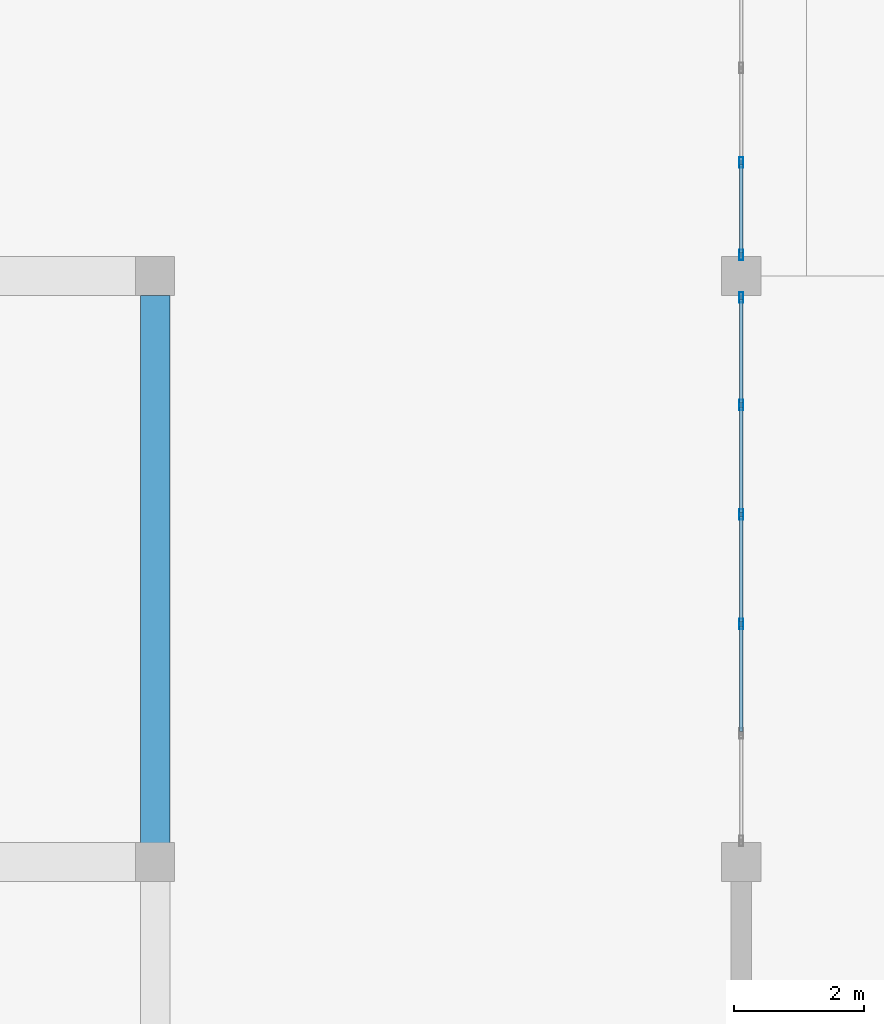
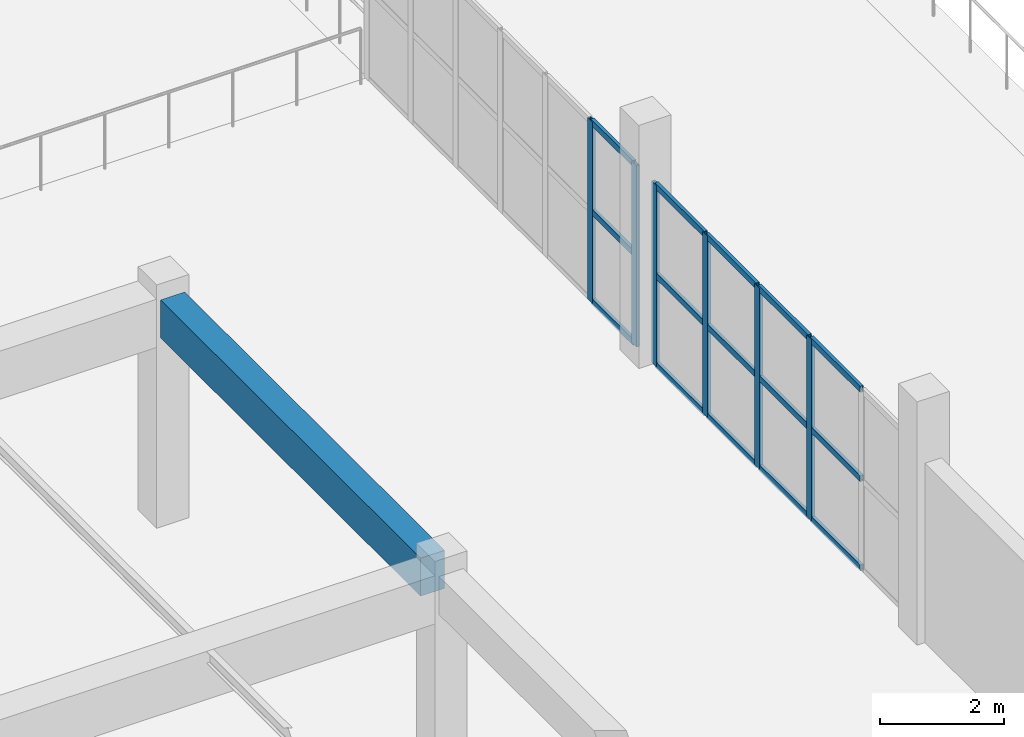
# One storey, part 42 of 89: 21 members, 1 beam, 2 elements without a shape of their own.
"""IFC4 building model written with IfcOpenShell, lengths in metres."""

from ifc_helpers import new_model, si_unit, direction, frame, origin, origin_2d, place, context, subcontext, project, spatial, rectangle, hollow_rectangle, extrude, material, layer, layer_set, material_profile, profile_set, type_object, element, aggregate, save


model = new_model("IFC4")

# Units and contexts
model_context = context("Model", 3, precision=1e-05, world=origin(), true_north=direction((0.0, 1.0)))
body_context = subcontext(model_context, "Body", "Model", "MODEL_VIEW")
ifc_project = project(units=[si_unit("LENGTHUNIT", "METRE"), si_unit("AREAUNIT", "SQUARE_METRE"), si_unit("VOLUMEUNIT", "CUBIC_METRE"), si_unit("PLANEANGLEUNIT", "RADIAN"), si_unit("MASSUNIT", "GRAM", prefix="KILO")], contexts=[model_context])

# Site, building, storey
site_placement = place(None, origin())
site = spatial("IfcSite", under=ifc_project, at=site_placement, CompositionType="ELEMENT")
building_placement = place(site_placement, origin())
building = spatial("IfcBuilding", under=site, at=building_placement, Name="Dornveld Trade and Exhibition Forum", CompositionType="ELEMENT")
storey_placement = place(building_placement, frame((0.0, 0.0, 12.0)))
storey = spatial("IfcBuildingStorey", under=building, at=storey_placement, Name="L02", CompositionType="ELEMENT", Elevation=12.0)

# Beam
ifc_material_1 = material(Name="Precast concrete C50/60", Category="concrete")
ifc_material_profile_1 = material_profile(ifc_material_1, rectangle(XDim=0.449951171875, YDim=0.75, at=origin_2d()), Name="PC-BM 450x750")
ifc_profile_set_1 = profile_set([ifc_material_profile_1], Name="Precast concrete C50/60")
beam_type = type_object("IfcBeamType", Name="BM-PC-450x750", PredefinedType="BEAM", material=ifc_profile_set_1)
beam_placement = place(storey_placement, frame((198.0, 117.2958984375, 4.10302734375), z_axis=(0.0, 1.0, 0.0), x_axis=(-1.0, 0.0, 0.0)))
element("IfcBeam", 1, at=beam_placement, inside=storey, type_object=beam_type, Name="L02 Y-girder 1600", PredefinedType="BEAM", context=body_context, shape_type="SweptSolid", body=[
    extrude(rectangle(XDim=0.449951171875, YDim=0.75, at=origin_2d()), origin(), (0.0, 0.0, 1.0), 8.408203125),
])

# Curtain wall, members
ifc_material_2 = material(Name="Dark-bronze anodised aluminium and low-E glass", Category="aluminium")
ifc_layer_1 = layer(ifc_material_2, 0.1689453125)
ifc_layer_set_1 = layer_set([ifc_layer_1], Name="Dark-bronze anodised aluminium and low-E glass")
curtain_wall_type_1 = type_object("IfcCurtainWallType", Name="CW-SYS-09", PredefinedType="USERDEFINED", material=ifc_layer_set_1)
curtain_wall_1_placement = place(storey_placement, origin())
curtain_wall_1 = element("IfcCurtainWall", 2, at=curtain_wall_1_placement, inside=storey, type_object=curtain_wall_type_1, Name="L02 unitised curtain wall 117", ObjectType="UNITISED_CURTAIN_WALL", PredefinedType="USERDEFINED")
ifc_material_3 = material(Name="Dark-bronze anodised aluminium", Category="aluminium")
ifc_material_profile_2 = material_profile(ifc_material_3, hollow_rectangle(XDim=0.06005859375, YDim=0.159912109375, WallThickness=0.00390625, at=origin_2d()), Name="RHS 160x60x4")
ifc_profile_set_2 = profile_set([ifc_material_profile_2], Name="Dark-bronze anodised aluminium")
member_type_1 = type_object("IfcMemberType", Name="CW-MUL-160", PredefinedType="MULLION", material=ifc_profile_set_2)
member_1_placement = place(storey_placement, frame((207.0, 120.6591796875, -0.00390625), z_axis=(0.0, 0.0, 1.0), x_axis=(-1.0, 0.0, 0.0)))
member_1 = element("IfcMember", 3, at=member_1_placement, type_object=member_type_1, Name="CW-09 mullion 3", PredefinedType="MULLION", context=body_context, shape_type="SweptSolid", body=[
    extrude(hollow_rectangle(XDim=0.06005859375, YDim=0.159912109375, WallThickness=0.00390625, at=origin_2d()), origin(), (0.0, 0.0, 1.0), 3.583984375),
])
member_2_placement = place(storey_placement, frame((207.0, 122.3408203125, -0.00390625), z_axis=(0.0, 0.0, 1.0), x_axis=(-1.0, 0.0, 0.0)))
member_2 = element("IfcMember", 4, at=member_2_placement, type_object=member_type_1, Name="CW-09 mullion 4", PredefinedType="MULLION", context=body_context, shape_type="SweptSolid", body=[
    extrude(hollow_rectangle(XDim=0.06005859375, YDim=0.159912109375, WallThickness=0.00390625, at=origin_2d()), origin(), (0.0, 0.0, 1.0), 3.583984375),
])
member_3_placement = place(storey_placement, frame((207.0, 124.0224609375, -0.00390625), z_axis=(0.0, 0.0, 1.0), x_axis=(-1.0, 0.0, 0.0)))
member_3 = element("IfcMember", 5, at=member_3_placement, type_object=member_type_1, Name="CW-09 mullion 5", PredefinedType="MULLION", context=body_context, shape_type="SweptSolid", body=[
    extrude(hollow_rectangle(XDim=0.06005859375, YDim=0.159912109375, WallThickness=0.00390625, at=origin_2d()), origin(), (0.0, 0.0, 1.0), 3.583984375),
])
member_4_placement = place(storey_placement, frame((207.0, 125.674072265625, -0.00390625), z_axis=(0.0, 0.0, 1.0), x_axis=(-1.0, 0.0, 0.0)))
member_4 = element("IfcMember", 6, at=member_4_placement, type_object=member_type_1, Name="CW-09 mullion 6", PredefinedType="MULLION", context=body_context, shape_type="SweptSolid", body=[
    extrude(hollow_rectangle(XDim=0.06005859375, YDim=0.159912109375, WallThickness=0.00390625, at=origin_2d()), origin(), (0.0, 0.0, 1.0), 3.583984375),
])

ifc_material_4 = material(Name="Dark-bronze anodised aluminium and low-E glass", Category="aluminium")
ifc_layer_2 = layer(ifc_material_4, 0.172119140625)
ifc_layer_set_2 = layer_set([ifc_layer_2], Name="Dark-bronze anodised aluminium and low-E glass")
curtain_wall_type_2 = type_object("IfcCurtainWallType", Name="CW-SYS-10", PredefinedType="USERDEFINED", material=ifc_layer_set_2)
curtain_wall_2_placement = place(storey_placement, origin())
curtain_wall_2 = element("IfcCurtainWall", 7, at=curtain_wall_2_placement, inside=storey, type_object=curtain_wall_type_2, Name="L02 unitised curtain wall 118", ObjectType="UNITISED_CURTAIN_WALL", PredefinedType="USERDEFINED")
member_5_placement = place(storey_placement, frame((207.0, 126.325927734375, -0.00390625), z_axis=(0.0, 0.0, 1.0), x_axis=(-1.0, 0.0, 0.0)))
member_5 = element("IfcMember", 8, at=member_5_placement, type_object=member_type_1, Name="CW-10 mullion 1", PredefinedType="MULLION", context=body_context, shape_type="SweptSolid", body=[
    extrude(hollow_rectangle(XDim=0.06005859375, YDim=0.159912109375, WallThickness=0.00390625, at=origin_2d()), origin(), (0.0, 0.0, 1.0), 3.583984375),
])
member_6_placement = place(storey_placement, frame((207.0, 127.74658203125, -0.00390625), z_axis=(0.0, 0.0, 1.0), x_axis=(-1.0, 0.0, 0.0)))
member_6 = element("IfcMember", 9, at=member_6_placement, type_object=member_type_1, Name="CW-10 mullion 2", PredefinedType="MULLION", context=body_context, shape_type="SweptSolid", body=[
    extrude(hollow_rectangle(XDim=0.06005859375, YDim=0.159912109375, WallThickness=0.00390625, at=origin_2d()), origin(), (0.0, 0.0, 1.0), 3.583984375),
])

# Member
ifc_material_5 = material(Name="Dark-bronze anodised aluminium", Category="aluminium")
ifc_material_profile_3 = material_profile(ifc_material_5, hollow_rectangle(XDim=0.06005859375, YDim=0.1201171875, WallThickness=0.00390625, at=origin_2d()), Name="RHS 120x60x4")
ifc_profile_set_3 = profile_set([ifc_material_profile_3], Name="Dark-bronze anodised aluminium")
member_type_2 = type_object("IfcMemberType", Name="CW-TRN-120", PredefinedType="USERDEFINED", material=ifc_profile_set_3)
member_7_placement = place(storey_placement, frame((207.0, 119.007568359375, 0.02587890625), z_axis=(0.0, 1.0, 0.0), x_axis=(-1.0, 0.0, 0.0)))
member_7 = element("IfcMember", 10, at=member_7_placement, type_object=member_type_2, Name="CW-09 transom 2.1", ObjectType="TRANSOM", PredefinedType="USERDEFINED", context=body_context, shape_type="SweptSolid", body=[
    extrude(hollow_rectangle(XDim=0.06005859375, YDim=0.1201171875, WallThickness=0.00390625, at=origin_2d()), origin(), (0.0, 0.0, 1.0), 1.62158203125),
])

member_8_placement = place(storey_placement, frame((207.0, 119.007568359375, 1.7880859375), z_axis=(0.0, 1.0, 0.0), x_axis=(-1.0, 0.0, 0.0)))
member_8 = element("IfcMember", 11, at=member_8_placement, type_object=member_type_2, Name="CW-09 transom 2.2", ObjectType="TRANSOM", PredefinedType="USERDEFINED", context=body_context, shape_type="SweptSolid", body=[
    extrude(hollow_rectangle(XDim=0.06005859375, YDim=0.1201171875, WallThickness=0.00390625, at=origin_2d()), origin(), (0.0, 0.0, 1.0), 1.62158203125),
])

member_9_placement = place(storey_placement, frame((207.0, 119.007568359375, 3.550048828125), z_axis=(0.0, 1.0, 0.0), x_axis=(-1.0, 0.0, 0.0)))
member_9 = element("IfcMember", 12, at=member_9_placement, type_object=member_type_2, Name="CW-09 transom 2.3", ObjectType="TRANSOM", PredefinedType="USERDEFINED", context=body_context, shape_type="SweptSolid", body=[
    extrude(hollow_rectangle(XDim=0.06005859375, YDim=0.1201171875, WallThickness=0.00390625, at=origin_2d()), origin(), (0.0, 0.0, 1.0), 1.62158203125),
])

member_10_placement = place(storey_placement, frame((207.0, 120.689208984375, 0.02587890625), z_axis=(0.0, 1.0, 0.0), x_axis=(-1.0, 0.0, 0.0)))
member_10 = element("IfcMember", 13, at=member_10_placement, type_object=member_type_2, Name="CW-09 transom 3.1", ObjectType="TRANSOM", PredefinedType="USERDEFINED", context=body_context, shape_type="SweptSolid", body=[
    extrude(hollow_rectangle(XDim=0.06005859375, YDim=0.1201171875, WallThickness=0.00390625, at=origin_2d()), origin(), (0.0, 0.0, 1.0), 1.62158203125),
])

member_11_placement = place(storey_placement, frame((207.0, 120.689208984375, 1.7880859375), z_axis=(0.0, 1.0, 0.0), x_axis=(-1.0, 0.0, 0.0)))
member_11 = element("IfcMember", 14, at=member_11_placement, type_object=member_type_2, Name="CW-09 transom 3.2", ObjectType="TRANSOM", PredefinedType="USERDEFINED", context=body_context, shape_type="SweptSolid", body=[
    extrude(hollow_rectangle(XDim=0.06005859375, YDim=0.1201171875, WallThickness=0.00390625, at=origin_2d()), origin(), (0.0, 0.0, 1.0), 1.62158203125),
])

member_12_placement = place(storey_placement, frame((207.0, 120.689208984375, 3.550048828125), z_axis=(0.0, 1.0, 0.0), x_axis=(-1.0, 0.0, 0.0)))
member_12 = element("IfcMember", 15, at=member_12_placement, type_object=member_type_2, Name="CW-09 transom 3.3", ObjectType="TRANSOM", PredefinedType="USERDEFINED", context=body_context, shape_type="SweptSolid", body=[
    extrude(hollow_rectangle(XDim=0.06005859375, YDim=0.1201171875, WallThickness=0.00390625, at=origin_2d()), origin(), (0.0, 0.0, 1.0), 1.62158203125),
])

member_13_placement = place(storey_placement, frame((207.0, 122.370849609375, 0.02587890625), z_axis=(0.0, 1.0, 0.0), x_axis=(-1.0, 0.0, 0.0)))
member_13 = element("IfcMember", 16, at=member_13_placement, type_object=member_type_2, Name="CW-09 transom 4.1", ObjectType="TRANSOM", PredefinedType="USERDEFINED", context=body_context, shape_type="SweptSolid", body=[
    extrude(hollow_rectangle(XDim=0.06005859375, YDim=0.1201171875, WallThickness=0.00390625, at=origin_2d()), origin(), (0.0, 0.0, 1.0), 1.62158203125),
])

member_14_placement = place(storey_placement, frame((207.0, 122.370849609375, 1.7880859375), z_axis=(0.0, 1.0, 0.0), x_axis=(-1.0, 0.0, 0.0)))
member_14 = element("IfcMember", 17, at=member_14_placement, type_object=member_type_2, Name="CW-09 transom 4.2", ObjectType="TRANSOM", PredefinedType="USERDEFINED", context=body_context, shape_type="SweptSolid", body=[
    extrude(hollow_rectangle(XDim=0.06005859375, YDim=0.1201171875, WallThickness=0.00390625, at=origin_2d()), origin(), (0.0, 0.0, 1.0), 1.62158203125),
])

member_15_placement = place(storey_placement, frame((207.0, 122.370849609375, 3.550048828125), z_axis=(0.0, 1.0, 0.0), x_axis=(-1.0, 0.0, 0.0)))
member_15 = element("IfcMember", 18, at=member_15_placement, type_object=member_type_2, Name="CW-09 transom 4.3", ObjectType="TRANSOM", PredefinedType="USERDEFINED", context=body_context, shape_type="SweptSolid", body=[
    extrude(hollow_rectangle(XDim=0.06005859375, YDim=0.1201171875, WallThickness=0.00390625, at=origin_2d()), origin(), (0.0, 0.0, 1.0), 1.62158203125),
])

member_16_placement = place(storey_placement, frame((207.0, 124.052490234375, 0.02587890625), z_axis=(0.0, 1.0, 0.0), x_axis=(-1.0, 0.0, 0.0)))
member_16 = element("IfcMember", 19, at=member_16_placement, type_object=member_type_2, Name="CW-09 transom 5.1", ObjectType="TRANSOM", PredefinedType="USERDEFINED", context=body_context, shape_type="SweptSolid", body=[
    extrude(hollow_rectangle(XDim=0.06005859375, YDim=0.1201171875, WallThickness=0.00390625, at=origin_2d()), origin(), (0.0, 0.0, 1.0), 1.591552734375),
])

member_17_placement = place(storey_placement, frame((207.0, 124.052490234375, 1.7880859375), z_axis=(0.0, 1.0, 0.0), x_axis=(-1.0, 0.0, 0.0)))
member_17 = element("IfcMember", 20, at=member_17_placement, type_object=member_type_2, Name="CW-09 transom 5.2", ObjectType="TRANSOM", PredefinedType="USERDEFINED", context=body_context, shape_type="SweptSolid", body=[
    extrude(hollow_rectangle(XDim=0.06005859375, YDim=0.1201171875, WallThickness=0.00390625, at=origin_2d()), origin(), (0.0, 0.0, 1.0), 1.591552734375),
])

member_18_placement = place(storey_placement, frame((207.0, 124.052490234375, 3.550048828125), z_axis=(0.0, 1.0, 0.0), x_axis=(-1.0, 0.0, 0.0)))
member_18 = element("IfcMember", 21, at=member_18_placement, type_object=member_type_2, Name="CW-09 transom 5.3", ObjectType="TRANSOM", PredefinedType="USERDEFINED", context=body_context, shape_type="SweptSolid", body=[
    extrude(hollow_rectangle(XDim=0.06005859375, YDim=0.1201171875, WallThickness=0.00390625, at=origin_2d()), origin(), (0.0, 0.0, 1.0), 1.591552734375),
])

aggregate(curtain_wall_1, [member_1, member_2, member_3, member_4, member_7, member_8, member_9, member_10, member_11, member_12, member_13, member_14, member_15, member_16, member_17, member_18])

member_19_placement = place(storey_placement, frame((207.0, 126.35595703125, 0.02587890625), z_axis=(0.0, 1.0, 0.0), x_axis=(-1.0, 0.0, 0.0)))
member_19 = element("IfcMember", 22, at=member_19_placement, type_object=member_type_2, Name="CW-10 transom 1.1", ObjectType="TRANSOM", PredefinedType="USERDEFINED", context=body_context, shape_type="SweptSolid", body=[
    extrude(hollow_rectangle(XDim=0.06005859375, YDim=0.1201171875, WallThickness=0.00390625, at=origin_2d()), origin(), (0.0, 0.0, 1.0), 1.360595703125),
])

member_20_placement = place(storey_placement, frame((207.0, 126.35595703125, 1.7880859375), z_axis=(0.0, 1.0, 0.0), x_axis=(-1.0, 0.0, 0.0)))
member_20 = element("IfcMember", 23, at=member_20_placement, type_object=member_type_2, Name="CW-10 transom 1.2", ObjectType="TRANSOM", PredefinedType="USERDEFINED", context=body_context, shape_type="SweptSolid", body=[
    extrude(hollow_rectangle(XDim=0.06005859375, YDim=0.1201171875, WallThickness=0.00390625, at=origin_2d()), origin(), (0.0, 0.0, 1.0), 1.360595703125),
])

member_21_placement = place(storey_placement, frame((207.0, 126.35595703125, 3.550048828125), z_axis=(0.0, 1.0, 0.0), x_axis=(-1.0, 0.0, 0.0)))
member_21 = element("IfcMember", 24, at=member_21_placement, type_object=member_type_2, Name="CW-10 transom 1.3", ObjectType="TRANSOM", PredefinedType="USERDEFINED", context=body_context, shape_type="SweptSolid", body=[
    extrude(hollow_rectangle(XDim=0.06005859375, YDim=0.1201171875, WallThickness=0.00390625, at=origin_2d()), origin(), (0.0, 0.0, 1.0), 1.360595703125),
])

aggregate(curtain_wall_2, [member_5, member_6, member_19, member_20, member_21])

save(model, "model.ifc")
